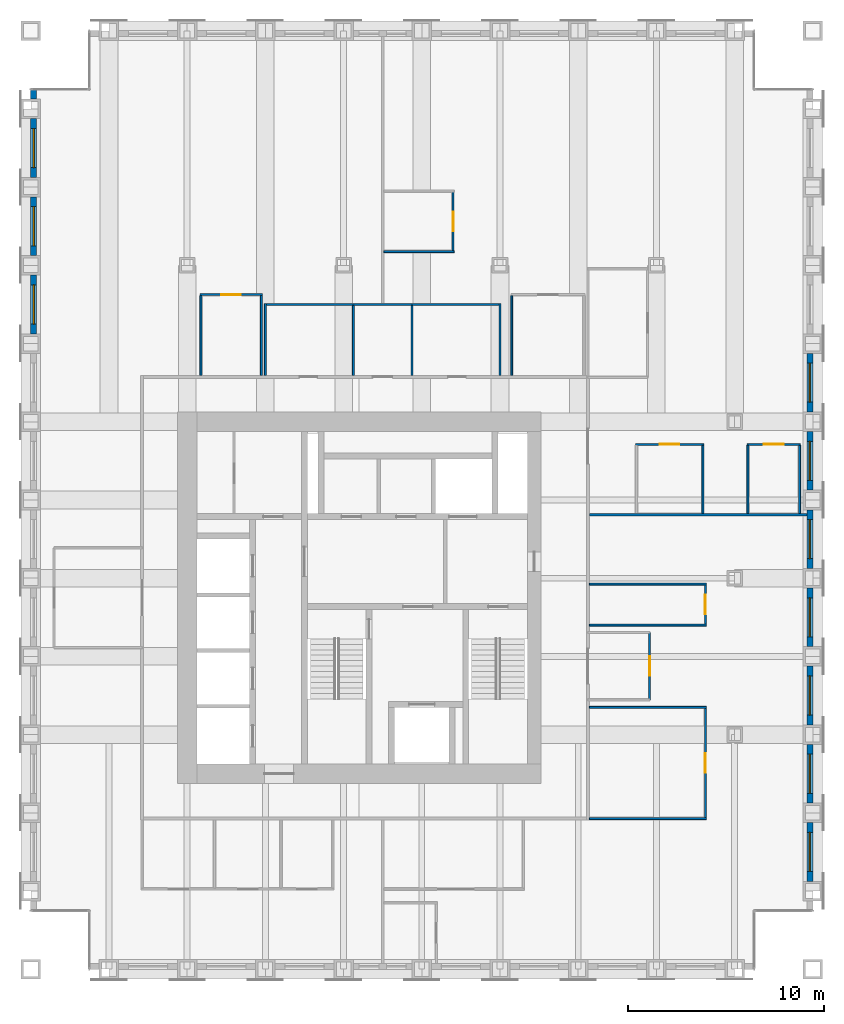
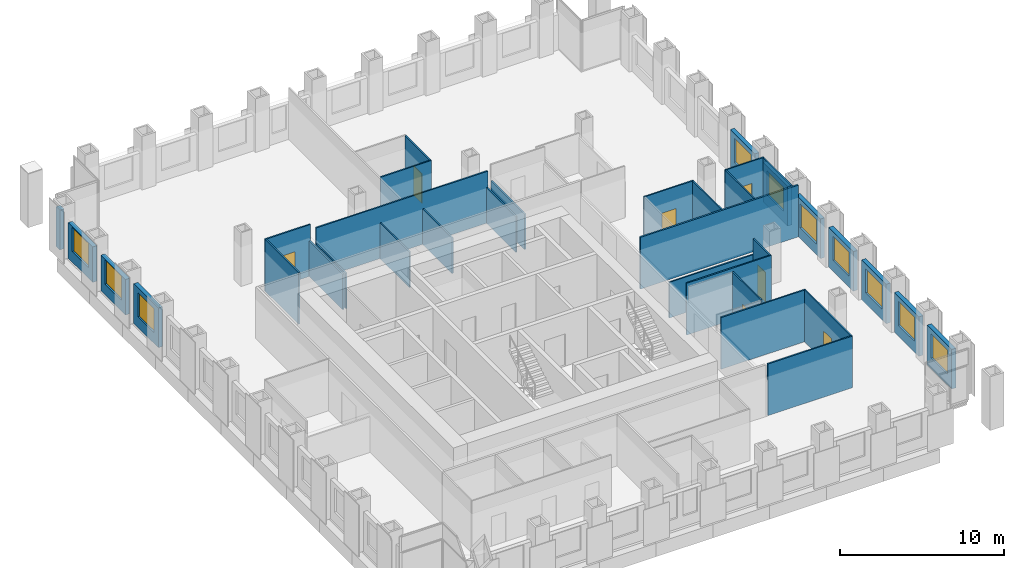
# One storey, part 11 of 14: 35 walls, 10 windows, 7 doors, 17 openings.
"""IFC4 building model written with IfcOpenShell, lengths in metres."""

from ifc_helpers import new_model, si_unit, direction, frame, frame_2d, origin, place, context, subcontext, project, spatial, rectangle, extrude, material, layer, layer_set, type_object, element, fill, save


model = new_model("IFC4")

# Units and contexts
model_context = context("Model", 3, precision=1e-05, world=origin(), true_north=direction((0.0, 1.0)))
body_context = subcontext(model_context, "Body", "Model", "MODEL_VIEW")
ifc_project = project(units=[si_unit("LENGTHUNIT", "METRE"), si_unit("AREAUNIT", "SQUARE_METRE"), si_unit("VOLUMEUNIT", "CUBIC_METRE"), si_unit("PLANEANGLEUNIT", "RADIAN"), si_unit("MASSUNIT", "GRAM", prefix="KILO")], contexts=[model_context])

# Site, building, storey
site_placement = place(None, origin())
site = spatial("IfcSite", under=ifc_project, at=site_placement, CompositionType="ELEMENT")
building_placement = place(site_placement, origin())
building = spatial("IfcBuilding", under=site, at=building_placement, Name="Rimbunsela Tower", CompositionType="ELEMENT")
storey_placement = place(building_placement, frame((0.0, 0.0, 234.199951171875)))
storey = spatial("IfcBuildingStorey", under=building, at=storey_placement, Name="L56", CompositionType="ELEMENT", Elevation=234.199951171875)

# Walls
ifc_material_1 = material(Name="Gypsum board on steel studs", Category="steel")
ifc_layer_1 = layer(ifc_material_1, 0.10009765625)
ifc_layer_set_1 = layer_set([ifc_layer_1], Name="Office partition 100")
wall_type_1 = type_object("IfcWallType", Name="Office partition 100", PredefinedType="PARTITIONING", material=ifc_layer_set_1)
for number, where, z_axis, x_axis, name in (
    (1, (38.574951171875, 15.699951171875, 0.0), (0.0, 0.0, 1.0), (1.0, 0.0, 0.0), "Office partition"),
    (2, (38.574951171875, 21.39892578125, 0.0), (0.0, 0.0, 1.0), (1.0, 0.0, 0.0), "Office partition"),
    (3, (38.574951171875, 25.59912109375, 0.0), (0.0, 0.0, 1.0), (1.0, 0.0, 0.0), "Office partition"),
):
    element("IfcWall", number, at=place(storey_placement, frame(where, z_axis=z_axis, x_axis=x_axis)), inside=storey, type_object=wall_type_1, Name=name, PredefinedType="PARTITIONING", context=body_context, shape_type="SweptSolid", body=[
        extrude(rectangle(XDim=5.97509765625, YDim=0.10009765625, at=frame_2d((2.987548828125, 0.0))), origin(), (0.0, 0.0, 1.0), 3.85009765625),
    ])
wall_1_placement = place(storey_placement, frame((38.574951171875, 27.698974609375, 0.0), z_axis=(0.0, 0.0, 1.0), x_axis=(1.0, 0.0, 0.0)))
element("IfcWall", 4, at=wall_1_placement, inside=storey, type_object=wall_type_1, Name="Office partition", PredefinedType="PARTITIONING", context=body_context, shape_type="SweptSolid", body=[
    extrude(rectangle(XDim=5.97509765625, YDim=0.10009765625, at=frame_2d((2.987548828125, 0.0))), origin(), (0.0, 0.0, 1.0), 2.650146484375),
])

# Wall, opening, door
wall_2_placement = place(storey_placement, frame((40.925048828125, 34.85009765625, 0.0), z_axis=(0.0, 0.0, 1.0), x_axis=(1.0, 0.0, 0.0)))
wall_2 = element("IfcWall", 5, at=wall_2_placement, inside=storey, type_object=wall_type_1, Name="Office partition", PredefinedType="PARTITIONING", context=body_context, shape_type="SweptSolid", body=[
    extrude(rectangle(XDim=3.5, YDim=0.10009765625, at=frame_2d((1.75, 0.0))), origin(), (0.0, 0.0, 1.0), 3.85009765625),
])
opening_1_placement = place(wall_2_placement, frame((1.25, 0.0, 0.0)))
opening_1 = element("IfcOpeningElement", 6, at=opening_1_placement, cuts=wall_2, Name="Opening D16", PredefinedType="OPENING", context=body_context, shape_type="SweptSolid", body=[
    extrude(rectangle(XDim=1.0, YDim=2.199951171875, at=frame_2d((0.5, 1.10009765625))), frame((0.0, 0.06005859375, 0.0), z_axis=(0.0, -1.0, 0.0), x_axis=(1.0, 0.0, 0.0)), (0.0, 0.0, 1.0), 0.1201171875),
])
ifc_material_2 = material(Name="Timber door", Category="wood")
door_type_1 = type_object("IfcDoorType", Name="Office door 1000", OperationType="SINGLE_SWING_LEFT", PredefinedType="DOOR", material=ifc_material_2)
door_1_placement = place(opening_1_placement, origin())
door_1 = element("IfcDoor", 7, at=door_1_placement, inside=storey, type_object=door_type_1, Name="Office door", OperationType="SINGLE_SWING_LEFT", OverallHeight=2.199951171875, OverallWidth=1.0, PredefinedType="DOOR", context=body_context, shape_type="SweptSolid", body=[
    extrude(rectangle(XDim=1.0, YDim=2.199951171875, at=frame_2d((0.5, 1.10009765625))), frame((0.0, 0.02490234375, 0.0), z_axis=(0.0, -1.0, 0.0), x_axis=(1.0, 0.0, 0.0)), (0.0, 0.0, 1.0), 0.050048828125),
])
fill(opening_1, door_1)

wall_3_placement = place(storey_placement, frame((46.625, 34.85009765625, 0.0), z_axis=(0.0, 0.0, 1.0), x_axis=(1.0, 0.0, 0.0)))
wall_3 = element("IfcWall", 8, at=wall_3_placement, inside=storey, type_object=wall_type_1, Name="Office partition", PredefinedType="PARTITIONING", context=body_context, shape_type="SweptSolid", body=[
    extrude(rectangle(XDim=2.75, YDim=0.10009765625, at=frame_2d((1.375, 0.0))), origin(), (0.0, 0.0, 1.0), 3.85009765625),
])
opening_2_placement = place(wall_3_placement, frame((0.875, 0.0, 0.0)))
opening_2 = element("IfcOpeningElement", 9, at=opening_2_placement, cuts=wall_3, Name="Opening D16", PredefinedType="OPENING", context=body_context, shape_type="SweptSolid", body=[
    extrude(rectangle(XDim=1.0, YDim=2.199951171875, at=frame_2d((0.5, 1.10009765625))), frame((0.0, 0.06005859375, 0.0), z_axis=(0.0, -1.0, 0.0), x_axis=(1.0, 0.0, 0.0)), (0.0, 0.0, 1.0), 0.1201171875),
])
door_2_placement = place(opening_2_placement, origin())
door_2 = element("IfcDoor", 10, at=door_2_placement, inside=storey, type_object=door_type_1, Name="Office door", OperationType="SINGLE_SWING_LEFT", OverallHeight=2.199951171875, OverallWidth=1.0, PredefinedType="DOOR", context=body_context, shape_type="SweptSolid", body=[
    extrude(rectangle(XDim=1.0, YDim=2.199951171875, at=frame_2d((0.5, 1.10009765625))), frame((0.0, 0.02490234375, 0.0), z_axis=(0.0, -1.0, 0.0), x_axis=(1.0, 0.0, 0.0)), (0.0, 0.0, 1.0), 0.050048828125),
])
fill(opening_2, door_2)

wall_4_placement = place(storey_placement, frame((18.64990234375, 42.5, 0.0), z_axis=(0.0, 0.0, 1.0), x_axis=(1.0, 0.0, 0.0)))
wall_4 = element("IfcWall", 11, at=wall_4_placement, inside=storey, type_object=wall_type_1, Name="Office partition", PredefinedType="PARTITIONING", context=body_context, shape_type="SweptSolid", body=[
    extrude(rectangle(XDim=3.2001953125, YDim=0.10009765625, at=frame_2d((1.60009765625, 0.0))), origin(), (0.0, 0.0, 1.0), 3.85009765625),
])
opening_3_placement = place(wall_4_placement, frame((1.10009765625, 0.0, 0.0)))
opening_3 = element("IfcOpeningElement", 12, at=opening_3_placement, cuts=wall_4, Name="Opening D16", PredefinedType="OPENING", context=body_context, shape_type="SweptSolid", body=[
    extrude(rectangle(XDim=1.0, YDim=2.199951171875, at=frame_2d((0.5, 1.10009765625))), frame((0.0, 0.06005859375, 0.0), z_axis=(0.0, -1.0, 0.0), x_axis=(1.0, 0.0, 0.0)), (0.0, 0.0, 1.0), 0.1201171875),
])
door_3_placement = place(opening_3_placement, origin())
door_3 = element("IfcDoor", 13, at=door_3_placement, inside=storey, type_object=door_type_1, Name="Office door", OperationType="SINGLE_SWING_LEFT", OverallHeight=2.199951171875, OverallWidth=1.0, PredefinedType="DOOR", context=body_context, shape_type="SweptSolid", body=[
    extrude(rectangle(XDim=1.0, YDim=2.199951171875, at=frame_2d((0.5, 1.10009765625))), frame((0.0, 0.02490234375, 0.0), z_axis=(0.0, -1.0, 0.0), x_axis=(1.0, 0.0, 0.0)), (0.0, 0.0, 1.0), 0.050048828125),
])
fill(opening_3, door_3)

# Walls
wall_5_placement = place(storey_placement, frame((28.06005859375, 44.699951171875, 0.0), z_axis=(0.0, 0.0, 1.0), x_axis=(1.0, 0.0, 0.0)))
element("IfcWall", 14, at=wall_5_placement, inside=storey, type_object=wall_type_1, Name="Office partition", PredefinedType="PARTITIONING", context=body_context, shape_type="SweptSolid", body=[
    extrude(rectangle(XDim=3.58984375, YDim=0.10009765625, at=frame_2d((1.794921875, 0.0))), origin(), (0.0, 0.0, 1.0), 3.85009765625),
])
wall_6_placement = place(storey_placement, frame((18.699951171875, 38.375, 0.0), z_axis=(0.0, 0.0, 1.0), x_axis=(0.0, 1.0, 0.0)))
element("IfcWall", 15, at=wall_6_placement, inside=storey, type_object=wall_type_1, Name="Office partition", PredefinedType="PARTITIONING", context=body_context, shape_type="SweptSolid", body=[
    extrude(rectangle(XDim=4.074951171875, YDim=0.10009765625, at=frame_2d((2.03759765625, 0.0))), origin(), (0.0, 0.0, 1.0), 3.85009765625),
])
wall_7_placement = place(storey_placement, frame((21.800048828125, 38.375, 0.0), z_axis=(0.0, 0.0, 1.0), x_axis=(0.0, 1.0, 0.0)))
element("IfcWall", 16, at=wall_7_placement, inside=storey, type_object=wall_type_1, Name="Office partition", PredefinedType="PARTITIONING", context=body_context, shape_type="SweptSolid", body=[
    extrude(rectangle(XDim=4.074951171875, YDim=0.10009765625, at=frame_2d((2.03759765625, 0.0))), origin(), (0.0, 0.0, 1.0), 2.650146484375),
])

# Wall, opening, door
wall_8_placement = place(storey_placement, frame((31.60009765625, 44.75, 0.0), z_axis=(0.0, 0.0, 1.0), x_axis=(0.0, 1.0, 0.0)))
wall_8 = element("IfcWall", 17, at=wall_8_placement, inside=storey, type_object=wall_type_1, Name="Office partition", PredefinedType="PARTITIONING", context=body_context, shape_type="SweptSolid", body=[
    extrude(rectangle(XDim=3.0, YDim=0.10009765625, at=frame_2d((1.5, 0.0))), origin(), (0.0, 0.0, 1.0), 3.85009765625),
])
opening_4_placement = place(wall_8_placement, frame((1.0, 0.0, 0.0)))
opening_4 = element("IfcOpeningElement", 18, at=opening_4_placement, cuts=wall_8, Name="Opening D16", PredefinedType="OPENING", context=body_context, shape_type="SweptSolid", body=[
    extrude(rectangle(XDim=1.0, YDim=2.199951171875, at=frame_2d((0.5, 1.10009765625))), frame((0.0, 0.06005859375, 0.0), z_axis=(0.0, -1.0, 0.0), x_axis=(1.0, 0.0, 0.0)), (0.0, 0.0, 1.0), 0.1201171875),
])
door_4_placement = place(opening_4_placement, origin())
door_4 = element("IfcDoor", 19, at=door_4_placement, inside=storey, type_object=door_type_1, Name="Office door", OperationType="SINGLE_SWING_LEFT", OverallHeight=2.199951171875, OverallWidth=1.0, PredefinedType="DOOR", context=body_context, shape_type="SweptSolid", body=[
    extrude(rectangle(XDim=1.0, YDim=2.199951171875, at=frame_2d((0.5, 1.10009765625))), frame((0.0, 0.02490234375, 0.0), z_axis=(0.0, -1.0, 0.0), x_axis=(1.0, 0.0, 0.0)), (0.0, 0.0, 1.0), 0.050048828125),
])
fill(opening_4, door_4)

# Walls
wall_9_placement = place(storey_placement, frame((34.60009765625, 38.375, 0.0), z_axis=(0.0, 0.0, 1.0), x_axis=(0.0, 1.0, 0.0)))
element("IfcWall", 20, at=wall_9_placement, inside=storey, type_object=wall_type_1, Name="Office partition", PredefinedType="PARTITIONING", context=body_context, shape_type="SweptSolid", body=[
    extrude(rectangle(XDim=4.074951171875, YDim=0.10009765625, at=frame_2d((2.03759765625, 0.0))), origin(), (0.0, 0.0, 1.0), 2.650146484375),
])
wall_10_placement = place(storey_placement, frame((44.375, 31.31005859375, 0.0), z_axis=(0.0, 0.0, 1.0), x_axis=(0.0, 1.0, 0.0)))
element("IfcWall", 21, at=wall_10_placement, inside=storey, type_object=wall_type_1, Name="Office partition", PredefinedType="PARTITIONING", context=body_context, shape_type="SweptSolid", body=[
    extrude(rectangle(XDim=3.489990234375, YDim=0.10009765625, at=frame_2d((1.7451171875, 0.0))), origin(), (0.0, 0.0, 1.0), 3.85009765625),
])

# Wall, opening, door
wall_11_placement = place(storey_placement, frame((44.5, 15.75, 0.0), z_axis=(0.0, 0.0, 1.0), x_axis=(0.0, 1.0, 0.0)))
wall_11 = element("IfcWall", 22, at=wall_11_placement, inside=storey, type_object=wall_type_1, Name="Office partition", PredefinedType="PARTITIONING", context=body_context, shape_type="SweptSolid", body=[
    extrude(rectangle(XDim=5.59912109375, YDim=0.10009765625, at=frame_2d((2.799560546875, 0.0))), origin(), (0.0, 0.0, 1.0), 3.85009765625),
])
opening_5_placement = place(wall_11_placement, frame((2.299560546875, 0.0, 0.0)))
opening_5 = element("IfcOpeningElement", 23, at=opening_5_placement, cuts=wall_11, Name="Opening D16", PredefinedType="OPENING", context=body_context, shape_type="SweptSolid", body=[
    extrude(rectangle(XDim=1.0, YDim=2.199951171875, at=frame_2d((0.5, 1.10009765625))), frame((0.0, 0.06005859375, 0.0), z_axis=(0.0, -1.0, 0.0), x_axis=(1.0, 0.0, 0.0)), (0.0, 0.0, 1.0), 0.1201171875),
])
door_5_placement = place(opening_5_placement, origin())
door_5 = element("IfcDoor", 24, at=door_5_placement, inside=storey, type_object=door_type_1, Name="Office door", OperationType="SINGLE_SWING_LEFT", OverallHeight=2.199951171875, OverallWidth=1.0, PredefinedType="DOOR", context=body_context, shape_type="SweptSolid", body=[
    extrude(rectangle(XDim=1.0, YDim=2.199951171875, at=frame_2d((0.5, 1.10009765625))), frame((0.0, 0.02490234375, 0.0), z_axis=(0.0, -1.0, 0.0), x_axis=(1.0, 0.0, 0.0)), (0.0, 0.0, 1.0), 0.050048828125),
])
fill(opening_5, door_5)

wall_12_placement = place(storey_placement, frame((44.5, 25.64892578125, 0.0), z_axis=(0.0, 0.0, 1.0), x_axis=(0.0, 1.0, 0.0)))
wall_12 = element("IfcWall", 25, at=wall_12_placement, inside=storey, type_object=wall_type_1, Name="Office partition", PredefinedType="PARTITIONING", context=body_context, shape_type="SweptSolid", body=[
    extrude(rectangle(XDim=2.0, YDim=0.10009765625, at=frame_2d((1.0, 0.0))), origin(), (0.0, 0.0, 1.0), 3.85009765625),
])
opening_6_placement = place(wall_12_placement, frame((0.5, 0.0, 0.0)))
opening_6 = element("IfcOpeningElement", 26, at=opening_6_placement, cuts=wall_12, Name="Opening D16", PredefinedType="OPENING", context=body_context, shape_type="SweptSolid", body=[
    extrude(rectangle(XDim=1.0, YDim=2.199951171875, at=frame_2d((0.5, 1.10009765625))), frame((0.0, 0.06005859375, 0.0), z_axis=(0.0, -1.0, 0.0), x_axis=(1.0, 0.0, 0.0)), (0.0, 0.0, 1.0), 0.1201171875),
])
door_6_placement = place(opening_6_placement, origin())
door_6 = element("IfcDoor", 27, at=door_6_placement, inside=storey, type_object=door_type_1, Name="Office door", OperationType="SINGLE_SWING_LEFT", OverallHeight=2.199951171875, OverallWidth=1.0, PredefinedType="DOOR", context=body_context, shape_type="SweptSolid", body=[
    extrude(rectangle(XDim=1.0, YDim=2.199951171875, at=frame_2d((0.5, 1.10009765625))), frame((0.0, 0.02490234375, 0.0), z_axis=(0.0, -1.0, 0.0), x_axis=(1.0, 0.0, 0.0)), (0.0, 0.0, 1.0), 0.050048828125),
])
fill(opening_6, door_6)

# Walls
for number, where, z_axis, x_axis, name in (
    (28, (46.675048828125, 31.31005859375, 0.0), (0.0, 0.0, 1.0), (0.0, 1.0, 0.0), "Office partition"),
    (29, (49.324951171875, 31.31005859375, 0.0), (0.0, 0.0, 1.0), (0.0, 1.0, 0.0), "Office partition"),
):
    element("IfcWall", number, at=place(storey_placement, frame(where, z_axis=z_axis, x_axis=x_axis)), inside=storey, type_object=wall_type_1, Name=name, PredefinedType="PARTITIONING", context=body_context, shape_type="SweptSolid", body=[
        extrude(rectangle(XDim=3.489990234375, YDim=0.10009765625, at=frame_2d((1.7451171875, 0.0))), origin(), (0.0, 0.0, 1.0), 3.85009765625),
    ])

# Wall, opening, door
wall_13_placement = place(storey_placement, frame((41.64990234375, 21.77392578125, 0.0), z_axis=(0.0, 0.0, 1.0), x_axis=(0.0, 1.0, 0.0)))
wall_13 = element("IfcWall", 30, at=wall_13_placement, inside=storey, type_object=wall_type_1, Name="Office partition", PredefinedType="PARTITIONING", context=body_context, shape_type="SweptSolid", body=[
    extrude(rectangle(XDim=3.4501953125, YDim=0.10009765625, at=frame_2d((1.72509765625, 0.0))), origin(), (0.0, 0.0, 1.0), 3.85009765625),
])
opening_7_placement = place(wall_13_placement, frame((1.22509765625, 0.0, 0.0)))
opening_7 = element("IfcOpeningElement", 31, at=opening_7_placement, cuts=wall_13, Name="Opening D17", PredefinedType="OPENING", context=body_context, shape_type="SweptSolid", body=[
    extrude(rectangle(XDim=1.0, YDim=2.199951171875, at=frame_2d((0.5, 1.10009765625))), frame((0.0, 0.06005859375, 0.0), z_axis=(0.0, -1.0, 0.0), x_axis=(1.0, 0.0, 0.0)), (0.0, 0.0, 1.0), 0.1201171875),
])
ifc_material_3 = material(Name="Glazed aluminium door", Category="aluminium")
door_type_2 = type_object("IfcDoorType", Name="Meeting room door 1000 glazed", OperationType="SINGLE_SWING_RIGHT", PredefinedType="DOOR", material=ifc_material_3)
door_7_placement = place(opening_7_placement, origin())
door_7 = element("IfcDoor", 32, at=door_7_placement, inside=storey, type_object=door_type_2, Name="Reception door", OperationType="SINGLE_SWING_RIGHT", OverallHeight=2.199951171875, OverallWidth=1.0, PredefinedType="DOOR", context=body_context, shape_type="SweptSolid", body=[
    extrude(rectangle(XDim=1.0, YDim=2.199951171875, at=frame_2d((0.5, 1.10009765625))), frame((0.0, 0.02490234375, 0.0), z_axis=(0.0, -1.0, 0.0), x_axis=(1.0, 0.0, 0.0)), (0.0, 0.0, 1.0), 0.050048828125),
])
fill(opening_7, door_7)

# Wall, opening, window
ifc_material_4 = material(Name="Precast concrete fc' 35 MPa", Category="concrete")
ifc_layer_2 = layer(ifc_material_4, 0.300048828125)
ifc_layer_set_2 = layer_set([ifc_layer_2], Name="Precast concrete fc' 35 MPa")
wall_type_2 = type_object("IfcWallType", Name="Precast facade panel 300", PredefinedType="ELEMENTEDWALL", material=ifc_layer_set_2)
wall_14_placement = place(storey_placement, frame((49.85009765625, 12.5, 0.0), z_axis=(0.0, 0.0, 1.0), x_axis=(0.0, 1.0, 0.0)))
wall_14 = element("IfcWall", 33, at=wall_14_placement, inside=storey, type_object=wall_type_2, Name="Facade panel E L56", PredefinedType="ELEMENTEDWALL", context=body_context, shape_type="SweptSolid", body=[
    extrude(rectangle(XDim=3.0, YDim=0.300048828125, at=frame_2d((1.5, 0.0))), origin(), (0.0, 0.0, 1.0), 2.949951171875),
])
opening_8_placement = place(wall_14_placement, frame((0.5, 0.0, 0.800048828125)))
opening_8 = element("IfcOpeningElement", 34, at=opening_8_placement, cuts=wall_14, Name="Opening W7", PredefinedType="OPENING", context=body_context, shape_type="SweptSolid", body=[
    extrude(rectangle(XDim=2.0, YDim=1.800048828125, at=frame_2d((1.0, 0.89990234375))), frame((0.0, 0.159912109375, 0.0), z_axis=(0.0, -1.0, 0.0), x_axis=(1.0, 0.0, 0.0)), (0.0, 0.0, 1.0), 0.320068359375),
])
ifc_material_5 = material(Name="Clear glass in aluminium frame", Category="aluminium")
window_type = type_object("IfcWindowType", Name="Window W7 2000x1800", PartitioningType="DOUBLE_PANEL_VERTICAL", PredefinedType="WINDOW", material=ifc_material_5)
window_1_placement = place(opening_8_placement, origin())
window_1 = element("IfcWindow", 35, at=window_1_placement, inside=storey, type_object=window_type, Name="Window L56", OverallHeight=1.800048828125, OverallWidth=2.0, PartitioningType="SINGLE_PANEL", PredefinedType="WINDOW", context=body_context, shape_type="SweptSolid", body=[
    extrude(rectangle(XDim=2.0, YDim=1.800048828125, at=frame_2d((1.0, 0.89990234375))), frame((0.0, 0.030029296875, 0.0), z_axis=(0.0, -1.0, 0.0), x_axis=(1.0, 0.0, 0.0)), (0.0, 0.0, 1.0), 0.06005859375),
])
fill(opening_8, window_1)

wall_15_placement = place(storey_placement, frame((49.85009765625, 16.5, 0.0), z_axis=(0.0, 0.0, 1.0), x_axis=(0.0, 1.0, 0.0)))
wall_15 = element("IfcWall", 36, at=wall_15_placement, inside=storey, type_object=wall_type_2, Name="Facade panel E L56", PredefinedType="ELEMENTEDWALL", context=body_context, shape_type="SweptSolid", body=[
    extrude(rectangle(XDim=3.0, YDim=0.300048828125, at=frame_2d((1.5, 0.0))), origin(), (0.0, 0.0, 1.0), 2.949951171875),
])
opening_9_placement = place(wall_15_placement, frame((0.5, 0.0, 0.800048828125)))
opening_9 = element("IfcOpeningElement", 37, at=opening_9_placement, cuts=wall_15, Name="Opening W7", PredefinedType="OPENING", context=body_context, shape_type="SweptSolid", body=[
    extrude(rectangle(XDim=2.0, YDim=1.800048828125, at=frame_2d((1.0, 0.89990234375))), frame((0.0, 0.159912109375, 0.0), z_axis=(0.0, -1.0, 0.0), x_axis=(1.0, 0.0, 0.0)), (0.0, 0.0, 1.0), 0.320068359375),
])
window_2_placement = place(opening_9_placement, origin())
window_2 = element("IfcWindow", 38, at=window_2_placement, inside=storey, type_object=window_type, Name="Window L56", OverallHeight=1.800048828125, OverallWidth=2.0, PartitioningType="SINGLE_PANEL", PredefinedType="WINDOW", context=body_context, shape_type="SweptSolid", body=[
    extrude(rectangle(XDim=2.0, YDim=1.800048828125, at=frame_2d((1.0, 0.89990234375))), frame((0.0, 0.030029296875, 0.0), z_axis=(0.0, -1.0, 0.0), x_axis=(1.0, 0.0, 0.0)), (0.0, 0.0, 1.0), 0.06005859375),
])
fill(opening_9, window_2)

wall_16_placement = place(storey_placement, frame((49.85009765625, 20.5, 0.0), z_axis=(0.0, 0.0, 1.0), x_axis=(0.0, 1.0, 0.0)))
wall_16 = element("IfcWall", 39, at=wall_16_placement, inside=storey, type_object=wall_type_2, Name="Facade panel E L56", PredefinedType="ELEMENTEDWALL", context=body_context, shape_type="SweptSolid", body=[
    extrude(rectangle(XDim=3.0, YDim=0.300048828125, at=frame_2d((1.5, 0.0))), origin(), (0.0, 0.0, 1.0), 2.949951171875),
])
opening_10_placement = place(wall_16_placement, frame((0.5, 0.0, 0.800048828125)))
opening_10 = element("IfcOpeningElement", 40, at=opening_10_placement, cuts=wall_16, Name="Opening W7", PredefinedType="OPENING", context=body_context, shape_type="SweptSolid", body=[
    extrude(rectangle(XDim=2.0, YDim=1.800048828125, at=frame_2d((1.0, 0.89990234375))), frame((0.0, 0.159912109375, 0.0), z_axis=(0.0, -1.0, 0.0), x_axis=(1.0, 0.0, 0.0)), (0.0, 0.0, 1.0), 0.320068359375),
])
window_3_placement = place(opening_10_placement, origin())
window_3 = element("IfcWindow", 41, at=window_3_placement, inside=storey, type_object=window_type, Name="Window L56", OverallHeight=1.800048828125, OverallWidth=2.0, PartitioningType="SINGLE_PANEL", PredefinedType="WINDOW", context=body_context, shape_type="SweptSolid", body=[
    extrude(rectangle(XDim=2.0, YDim=1.800048828125, at=frame_2d((1.0, 0.89990234375))), frame((0.0, 0.030029296875, 0.0), z_axis=(0.0, -1.0, 0.0), x_axis=(1.0, 0.0, 0.0)), (0.0, 0.0, 1.0), 0.06005859375),
])
fill(opening_10, window_3)

wall_17_placement = place(storey_placement, frame((49.85009765625, 24.5, 0.0), z_axis=(0.0, 0.0, 1.0), x_axis=(0.0, 1.0, 0.0)))
wall_17 = element("IfcWall", 42, at=wall_17_placement, inside=storey, type_object=wall_type_2, Name="Facade panel E L56", PredefinedType="ELEMENTEDWALL", context=body_context, shape_type="SweptSolid", body=[
    extrude(rectangle(XDim=3.0, YDim=0.300048828125, at=frame_2d((1.5, 0.0))), origin(), (0.0, 0.0, 1.0), 2.949951171875),
])
opening_11_placement = place(wall_17_placement, frame((0.5, 0.0, 0.800048828125)))
opening_11 = element("IfcOpeningElement", 43, at=opening_11_placement, cuts=wall_17, Name="Opening W7", PredefinedType="OPENING", context=body_context, shape_type="SweptSolid", body=[
    extrude(rectangle(XDim=2.0, YDim=1.800048828125, at=frame_2d((1.0, 0.89990234375))), frame((0.0, 0.159912109375, 0.0), z_axis=(0.0, -1.0, 0.0), x_axis=(1.0, 0.0, 0.0)), (0.0, 0.0, 1.0), 0.320068359375),
])
window_4_placement = place(opening_11_placement, origin())
window_4 = element("IfcWindow", 44, at=window_4_placement, inside=storey, type_object=window_type, Name="Window L56", OverallHeight=1.800048828125, OverallWidth=2.0, PartitioningType="SINGLE_PANEL", PredefinedType="WINDOW", context=body_context, shape_type="SweptSolid", body=[
    extrude(rectangle(XDim=2.0, YDim=1.800048828125, at=frame_2d((1.0, 0.89990234375))), frame((0.0, 0.030029296875, 0.0), z_axis=(0.0, -1.0, 0.0), x_axis=(1.0, 0.0, 0.0)), (0.0, 0.0, 1.0), 0.06005859375),
])
fill(opening_11, window_4)

wall_18_placement = place(storey_placement, frame((49.85009765625, 28.5, 0.0), z_axis=(0.0, 0.0, 1.0), x_axis=(0.0, 1.0, 0.0)))
wall_18 = element("IfcWall", 45, at=wall_18_placement, inside=storey, type_object=wall_type_2, Name="Facade panel E L56", PredefinedType="ELEMENTEDWALL", context=body_context, shape_type="SweptSolid", body=[
    extrude(rectangle(XDim=3.0, YDim=0.300048828125, at=frame_2d((1.5, 0.0))), origin(), (0.0, 0.0, 1.0), 2.949951171875),
])
opening_12_placement = place(wall_18_placement, frame((0.5, 0.0, 0.800048828125)))
opening_12 = element("IfcOpeningElement", 46, at=opening_12_placement, cuts=wall_18, Name="Opening W7", PredefinedType="OPENING", context=body_context, shape_type="SweptSolid", body=[
    extrude(rectangle(XDim=2.0, YDim=1.800048828125, at=frame_2d((1.0, 0.89990234375))), frame((0.0, 0.159912109375, 0.0), z_axis=(0.0, -1.0, 0.0), x_axis=(1.0, 0.0, 0.0)), (0.0, 0.0, 1.0), 0.320068359375),
])
window_5_placement = place(opening_12_placement, origin())
window_5 = element("IfcWindow", 47, at=window_5_placement, inside=storey, type_object=window_type, Name="Window L56", OverallHeight=1.800048828125, OverallWidth=2.0, PartitioningType="SINGLE_PANEL", PredefinedType="WINDOW", context=body_context, shape_type="SweptSolid", body=[
    extrude(rectangle(XDim=2.0, YDim=1.800048828125, at=frame_2d((1.0, 0.89990234375))), frame((0.0, 0.030029296875, 0.0), z_axis=(0.0, -1.0, 0.0), x_axis=(1.0, 0.0, 0.0)), (0.0, 0.0, 1.0), 0.06005859375),
])
fill(opening_12, window_5)

wall_19_placement = place(storey_placement, frame((49.85009765625, 32.5, 0.0), z_axis=(0.0, 0.0, 1.0), x_axis=(0.0, 1.0, 0.0)))
wall_19 = element("IfcWall", 48, at=wall_19_placement, inside=storey, type_object=wall_type_2, Name="Facade panel E L56", PredefinedType="ELEMENTEDWALL", context=body_context, shape_type="SweptSolid", body=[
    extrude(rectangle(XDim=3.0, YDim=0.300048828125, at=frame_2d((1.5, 0.0))), origin(), (0.0, 0.0, 1.0), 2.949951171875),
])
opening_13_placement = place(wall_19_placement, frame((0.5, 0.0, 0.800048828125)))
opening_13 = element("IfcOpeningElement", 49, at=opening_13_placement, cuts=wall_19, Name="Opening W7", PredefinedType="OPENING", context=body_context, shape_type="SweptSolid", body=[
    extrude(rectangle(XDim=2.0, YDim=1.800048828125, at=frame_2d((1.0, 0.89990234375))), frame((0.0, 0.159912109375, 0.0), z_axis=(0.0, -1.0, 0.0), x_axis=(1.0, 0.0, 0.0)), (0.0, 0.0, 1.0), 0.320068359375),
])
window_6_placement = place(opening_13_placement, origin())
window_6 = element("IfcWindow", 50, at=window_6_placement, inside=storey, type_object=window_type, Name="Window L56", OverallHeight=1.800048828125, OverallWidth=2.0, PartitioningType="SINGLE_PANEL", PredefinedType="WINDOW", context=body_context, shape_type="SweptSolid", body=[
    extrude(rectangle(XDim=2.0, YDim=1.800048828125, at=frame_2d((1.0, 0.89990234375))), frame((0.0, 0.030029296875, 0.0), z_axis=(0.0, -1.0, 0.0), x_axis=(1.0, 0.0, 0.0)), (0.0, 0.0, 1.0), 0.06005859375),
])
fill(opening_13, window_6)

wall_20_placement = place(storey_placement, frame((49.85009765625, 36.5, 0.0), z_axis=(0.0, 0.0, 1.0), x_axis=(0.0, 1.0, 0.0)))
wall_20 = element("IfcWall", 51, at=wall_20_placement, inside=storey, type_object=wall_type_2, Name="Facade panel E L56", PredefinedType="ELEMENTEDWALL", context=body_context, shape_type="SweptSolid", body=[
    extrude(rectangle(XDim=3.0, YDim=0.300048828125, at=frame_2d((1.5, 0.0))), origin(), (0.0, 0.0, 1.0), 2.949951171875),
])
opening_14_placement = place(wall_20_placement, frame((0.5, 0.0, 0.800048828125)))
opening_14 = element("IfcOpeningElement", 52, at=opening_14_placement, cuts=wall_20, Name="Opening W7", PredefinedType="OPENING", context=body_context, shape_type="SweptSolid", body=[
    extrude(rectangle(XDim=2.0, YDim=1.800048828125, at=frame_2d((1.0, 0.89990234375))), frame((0.0, 0.159912109375, 0.0), z_axis=(0.0, -1.0, 0.0), x_axis=(1.0, 0.0, 0.0)), (0.0, 0.0, 1.0), 0.320068359375),
])
window_7_placement = place(opening_14_placement, origin())
window_7 = element("IfcWindow", 53, at=window_7_placement, inside=storey, type_object=window_type, Name="Window L56", OverallHeight=1.800048828125, OverallWidth=2.0, PartitioningType="SINGLE_PANEL", PredefinedType="WINDOW", context=body_context, shape_type="SweptSolid", body=[
    extrude(rectangle(XDim=2.0, YDim=1.800048828125, at=frame_2d((1.0, 0.89990234375))), frame((0.0, 0.030029296875, 0.0), z_axis=(0.0, -1.0, 0.0), x_axis=(1.0, 0.0, 0.0)), (0.0, 0.0, 1.0), 0.06005859375),
])
fill(opening_14, window_7)

wall_21_placement = place(storey_placement, frame((10.14990234375, 43.5, 0.0), z_axis=(0.0, 0.0, 1.0), x_axis=(0.0, -1.0, 0.0)))
wall_21 = element("IfcWall", 54, at=wall_21_placement, inside=storey, type_object=wall_type_2, Name="Facade panel W L56", PredefinedType="ELEMENTEDWALL", context=body_context, shape_type="SweptSolid", body=[
    extrude(rectangle(XDim=3.0, YDim=0.300048828125, at=frame_2d((1.5, 0.0))), origin(), (0.0, 0.0, 1.0), 2.949951171875),
])
opening_15_placement = place(wall_21_placement, frame((0.5, 0.0, 0.800048828125)))
opening_15 = element("IfcOpeningElement", 55, at=opening_15_placement, cuts=wall_21, Name="Opening W7", PredefinedType="OPENING", context=body_context, shape_type="SweptSolid", body=[
    extrude(rectangle(XDim=2.0, YDim=1.800048828125, at=frame_2d((1.0, 0.89990234375))), frame((0.0, 0.159912109375, 0.0), z_axis=(0.0, -1.0, 0.0), x_axis=(1.0, 0.0, 0.0)), (0.0, 0.0, 1.0), 0.320068359375),
])
window_8_placement = place(opening_15_placement, origin())
window_8 = element("IfcWindow", 56, at=window_8_placement, inside=storey, type_object=window_type, Name="Window L56", OverallHeight=1.800048828125, OverallWidth=2.0, PartitioningType="SINGLE_PANEL", PredefinedType="WINDOW", context=body_context, shape_type="SweptSolid", body=[
    extrude(rectangle(XDim=2.0, YDim=1.800048828125, at=frame_2d((1.0, 0.89990234375))), frame((0.0, 0.030029296875, 0.0), z_axis=(0.0, -1.0, 0.0), x_axis=(1.0, 0.0, 0.0)), (0.0, 0.0, 1.0), 0.06005859375),
])
fill(opening_15, window_8)

wall_22_placement = place(storey_placement, frame((10.14990234375, 47.5, 0.0), z_axis=(0.0, 0.0, 1.0), x_axis=(0.0, -1.0, 0.0)))
wall_22 = element("IfcWall", 57, at=wall_22_placement, inside=storey, type_object=wall_type_2, Name="Facade panel W L56", PredefinedType="ELEMENTEDWALL", context=body_context, shape_type="SweptSolid", body=[
    extrude(rectangle(XDim=3.0, YDim=0.300048828125, at=frame_2d((1.5, 0.0))), origin(), (0.0, 0.0, 1.0), 2.650146484375),
])
opening_16_placement = place(wall_22_placement, frame((0.5, 0.0, 0.800048828125)))
opening_16 = element("IfcOpeningElement", 58, at=opening_16_placement, cuts=wall_22, Name="Opening W7", PredefinedType="OPENING", context=body_context, shape_type="SweptSolid", body=[
    extrude(rectangle(XDim=2.0, YDim=1.800048828125, at=frame_2d((1.0, 0.89990234375))), frame((0.0, 0.159912109375, 0.0), z_axis=(0.0, -1.0, 0.0), x_axis=(1.0, 0.0, 0.0)), (0.0, 0.0, 1.0), 0.320068359375),
])
window_9_placement = place(opening_16_placement, origin())
window_9 = element("IfcWindow", 59, at=window_9_placement, inside=storey, type_object=window_type, Name="Window L56", OverallHeight=1.800048828125, OverallWidth=2.0, PartitioningType="SINGLE_PANEL", PredefinedType="WINDOW", context=body_context, shape_type="SweptSolid", body=[
    extrude(rectangle(XDim=2.0, YDim=1.800048828125, at=frame_2d((1.0, 0.89990234375))), frame((0.0, 0.030029296875, 0.0), z_axis=(0.0, -1.0, 0.0), x_axis=(1.0, 0.0, 0.0)), (0.0, 0.0, 1.0), 0.06005859375),
])
fill(opening_16, window_9)

wall_23_placement = place(storey_placement, frame((10.14990234375, 51.5, 0.0), z_axis=(0.0, 0.0, 1.0), x_axis=(0.0, -1.0, 0.0)))
wall_23 = element("IfcWall", 60, at=wall_23_placement, inside=storey, type_object=wall_type_2, Name="Facade panel W L56", PredefinedType="ELEMENTEDWALL", context=body_context, shape_type="SweptSolid", body=[
    extrude(rectangle(XDim=3.0, YDim=0.300048828125, at=frame_2d((1.5, 0.0))), origin(), (0.0, 0.0, 1.0), 2.650146484375),
])
opening_17_placement = place(wall_23_placement, frame((0.5, 0.0, 0.800048828125)))
opening_17 = element("IfcOpeningElement", 61, at=opening_17_placement, cuts=wall_23, Name="Opening W7", PredefinedType="OPENING", context=body_context, shape_type="SweptSolid", body=[
    extrude(rectangle(XDim=2.0, YDim=1.800048828125, at=frame_2d((1.0, 0.89990234375))), frame((0.0, 0.159912109375, 0.0), z_axis=(0.0, -1.0, 0.0), x_axis=(1.0, 0.0, 0.0)), (0.0, 0.0, 1.0), 0.320068359375),
])
window_10_placement = place(opening_17_placement, origin())
window_10 = element("IfcWindow", 62, at=window_10_placement, inside=storey, type_object=window_type, Name="Window L56", OverallHeight=1.800048828125, OverallWidth=2.0, PartitioningType="SINGLE_PANEL", PredefinedType="WINDOW", context=body_context, shape_type="SweptSolid", body=[
    extrude(rectangle(XDim=2.0, YDim=1.800048828125, at=frame_2d((1.0, 0.89990234375))), frame((0.0, 0.030029296875, 0.0), z_axis=(0.0, -1.0, 0.0), x_axis=(1.0, 0.0, 0.0)), (0.0, 0.0, 1.0), 0.06005859375),
])
fill(opening_17, window_10)

# Walls
wall_24_placement = place(storey_placement, frame((10.14990234375, 52.969970703125, 0.0), z_axis=(0.0, 0.0, 1.0), x_axis=(0.0, -1.0, 0.0)))
element("IfcWall", 63, at=wall_24_placement, inside=storey, type_object=wall_type_2, Name="Facade panel W L56", PredefinedType="ELEMENTEDWALL", context=body_context, shape_type="SweptSolid", body=[
    extrude(rectangle(XDim=0.469970703125, YDim=0.300048828125, at=frame_2d((0.23486328125, 0.0))), origin(), (0.0, 0.0, 1.0), 2.949951171875),
])
ifc_material_6 = material(Name="Gypsum board on steel studs", Category="steel")
ifc_layer_3 = layer(ifc_material_6, 0.1201171875)
ifc_layer_set_3 = layer_set([ifc_layer_3], Name="Tenancy partition 120")
wall_type_3 = type_object("IfcWallType", Name="Tenancy partition 120", PredefinedType="PARTITIONING", material=ifc_layer_set_3)
wall_25_placement = place(storey_placement, frame((38.574951171875, 31.25, 0.0), z_axis=(0.0, 0.0, 1.0), x_axis=(1.0, 0.0, 0.0)))
element("IfcWall", 64, at=wall_25_placement, inside=storey, type_object=wall_type_3, Name="Tenancy partition", PredefinedType="PARTITIONING", context=body_context, shape_type="SweptSolid", body=[
    extrude(rectangle(XDim=11.125, YDim=0.1201171875, at=frame_2d((5.5625, 0.0))), origin(), (0.0, 0.0, 1.0), 3.85009765625),
])
ifc_material_7 = material(Name="Concrete blockwork", Category="masonry")
ifc_layer_4 = layer(ifc_material_7, 0.10009765625)
ifc_layer_set_4 = layer_set([ifc_layer_4], Name="Toilet partition 100")
wall_type_4 = type_object("IfcWallType", Name="Toilet partition 100", PredefinedType="PARTITIONING", material=ifc_layer_set_4)
for number, where, z_axis, x_axis, name in (
    (65, (22.0, 38.375, 0.0), (0.0, 0.0, 1.0), (0.0, 1.0, 0.0), "Toilet block wall west"),
    (66, (34.0, 38.375, 0.0), (0.0, 0.0, 1.0), (0.0, 1.0, 0.0), "Toilet block wall east"),
):
    element("IfcWall", number, at=place(storey_placement, frame(where, z_axis=z_axis, x_axis=x_axis)), inside=storey, type_object=wall_type_4, Name=name, PredefinedType="PARTITIONING", context=body_context, shape_type="SweptSolid", body=[
        extrude(rectangle(XDim=3.675048828125, YDim=0.10009765625, at=frame_2d((1.83740234375, 0.0))), origin(), (0.0, 0.0, 1.0), 2.650146484375),
    ])
wall_26_placement = place(storey_placement, frame((21.949951171875, 42.0, 0.0), z_axis=(0.0, 0.0, 1.0), x_axis=(1.0, 0.0, 0.0)))
element("IfcWall", 67, at=wall_26_placement, inside=storey, type_object=wall_type_4, Name="Toilet block wall north", PredefinedType="PARTITIONING", context=body_context, shape_type="SweptSolid", body=[
    extrude(rectangle(XDim=12.10009765625, YDim=0.10009765625, at=frame_2d((6.050048828125, 0.0))), origin(), (0.0, 0.0, 1.0), 3.85009765625),
])
for number, where, z_axis, x_axis, name in (
    (68, (26.5, 38.375, 0.0), (0.0, 0.0, 1.0), (0.0, 1.0, 0.0), "Toilet partition"),
    (69, (29.5, 38.375, 0.0), (0.0, 0.0, 1.0), (0.0, 1.0, 0.0), "Toilet partition"),
):
    element("IfcWall", number, at=place(storey_placement, frame(where, z_axis=z_axis, x_axis=x_axis)), inside=storey, type_object=wall_type_4, Name=name, PredefinedType="PARTITIONING", context=body_context, shape_type="SweptSolid", body=[
        extrude(rectangle(XDim=3.574951171875, YDim=0.10009765625, at=frame_2d((1.78759765625, 0.0))), origin(), (0.0, 0.0, 1.0), 2.650146484375),
    ])

save(model, "model.ifc")
